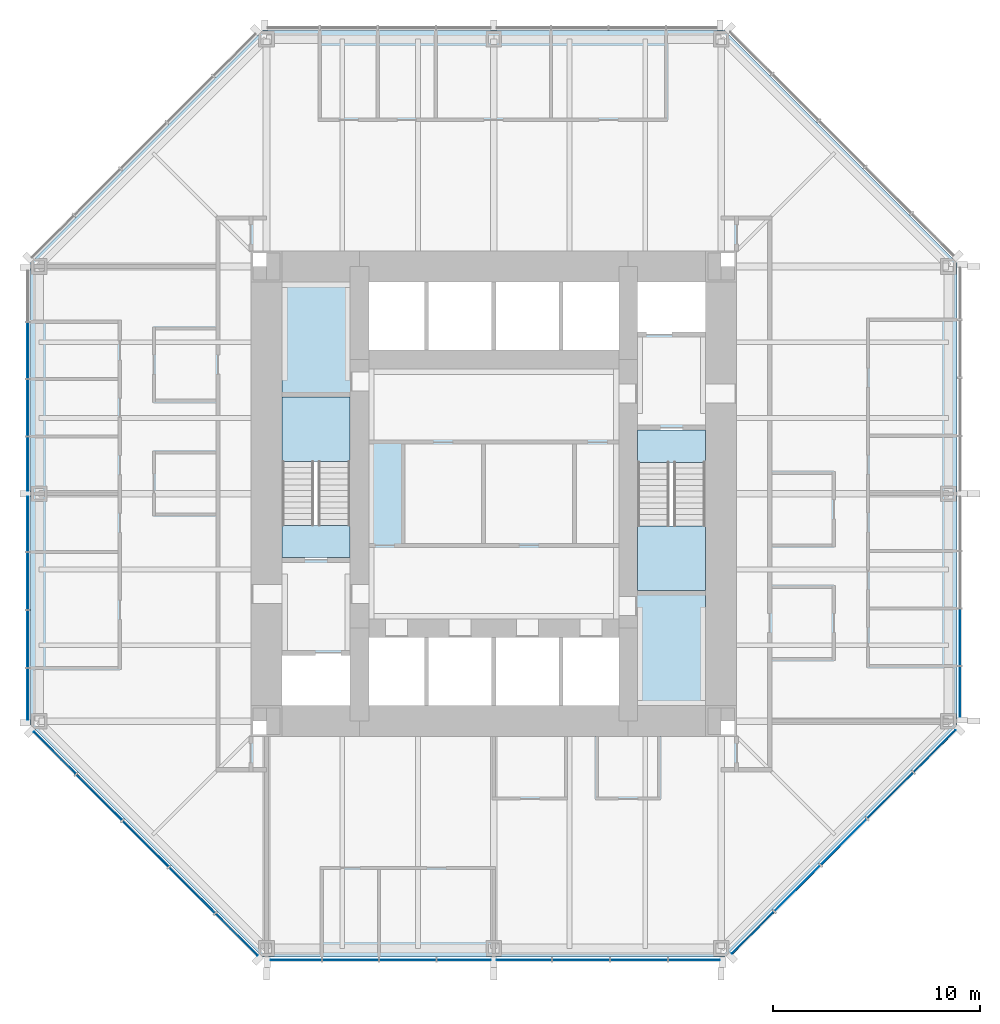
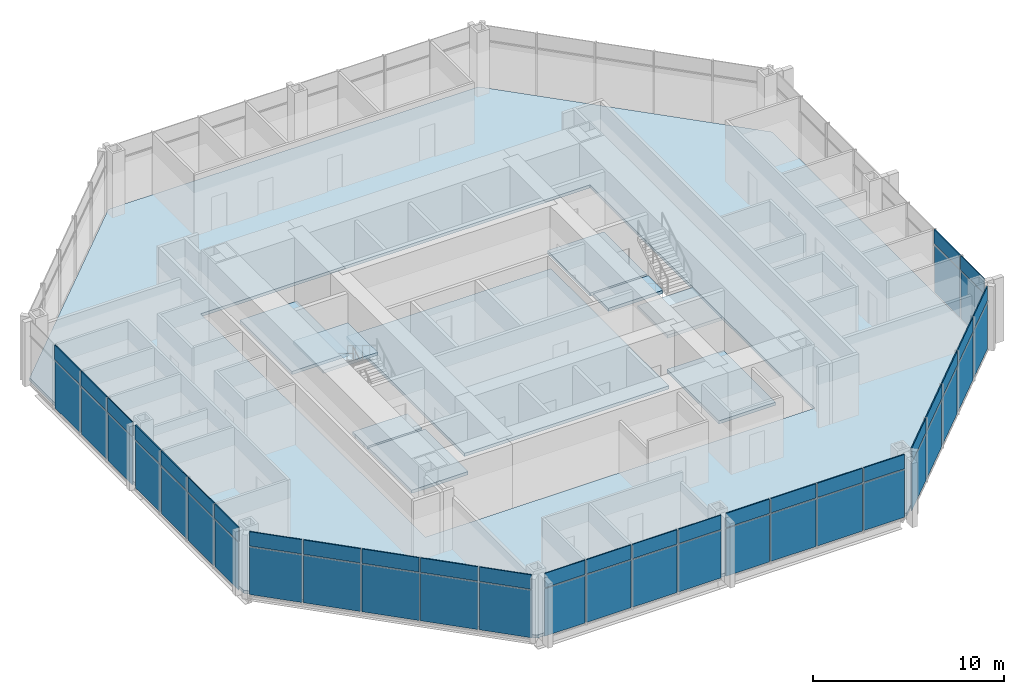
# One storey, part 7 of 12: 54 plates, 10 slabs, 7 elements without a shape of their own.
"""IFC4 building model written with IfcOpenShell, lengths in metres."""

from ifc_helpers import new_model, si_unit, direction, frame, origin, origin_2d, place, context, subcontext, project, spatial, polyline, rectangle, outline, extrude, material, layer, layer_set, type_object, element, aggregate, save


model = new_model("IFC4")

# Units and contexts
model_context = context("Model", 3, precision=1e-05, world=origin(), true_north=direction((0.0, 1.0)))
body_context = subcontext(model_context, "Body", "Model", "MODEL_VIEW")
ifc_project = project(units=[si_unit("LENGTHUNIT", "METRE"), si_unit("AREAUNIT", "SQUARE_METRE"), si_unit("VOLUMEUNIT", "CUBIC_METRE"), si_unit("PLANEANGLEUNIT", "RADIAN"), si_unit("MASSUNIT", "GRAM", prefix="KILO")], contexts=[model_context])

# Site, building, storey
site_placement = place(None, origin())
site = spatial("IfcSite", under=ifc_project, at=site_placement, CompositionType="ELEMENT")
building_placement = place(site_placement, origin())
building = spatial("IfcBuilding", under=site, at=building_placement, Name="Trevanion Tower", CompositionType="ELEMENT")
storey_placement = place(building_placement, frame((0.0, 0.0, 113.10009765625)))
storey = spatial("IfcBuildingStorey", under=building, at=storey_placement, Name="L26", CompositionType="ELEMENT", Elevation=113.10009765625)

# Curtain wall, plates
ifc_material_1 = material(Name="Aluminium and glass", Category="aluminium")
curtain_wall_type = type_object("IfcCurtainWallType", Name="CW2 curtain wall", PredefinedType="USERDEFINED", material=ifc_material_1)
curtain_wall_1_placement = place(storey_placement, origin())
curtain_wall_1 = element("IfcCurtainWall", 1, at=curtain_wall_1_placement, inside=storey, type_object=curtain_wall_type, Name="CW2 L26 0", ObjectType="UNITISED CURTAIN WALL", PredefinedType="USERDEFINED")
ifc_material_2 = material(Name="Aluminium spandrel panel", Category="aluminium")
ifc_layer_1 = layer(ifc_material_2, 0.06005859375)
ifc_layer_set_1 = layer_set([ifc_layer_1], Name="CW2 spandrel panel")
plate_type_1 = type_object("IfcPlateType", Name="CW2 spandrel panel", PredefinedType="CURTAIN_PANEL", material=ifc_layer_set_1)
plate_1_placement = place(storey_placement, frame((22.550048828125, -9.579345703125, 2.997314453125), z_axis=(0.0, 0.0, 1.0), x_axis=(0.0, 1.0, 0.0)))
plate_1 = element("IfcPlate", 2, at=plate_1_placement, type_object=plate_type_1, Name="CW2 panel 1.2", PredefinedType="CURTAIN_PANEL", context=body_context, shape_type="SweptSolid", body=[
    extrude(rectangle(XDim=2.43701171875, YDim=0.06005859375, at=origin_2d()), origin(), (0.0, 0.0, 1.0), 0.91259765625),
])
plate_2_placement = place(storey_placement, frame((22.550048828125, -6.93603515625, 2.997314453125), z_axis=(0.0, 0.0, 1.0), x_axis=(0.0, 1.0, 0.0)))
plate_2 = element("IfcPlate", 3, at=plate_2_placement, type_object=plate_type_1, Name="CW2 panel 2.2", PredefinedType="CURTAIN_PANEL", context=body_context, shape_type="SweptSolid", body=[
    extrude(rectangle(XDim=2.699462890625, YDim=0.06005859375, at=origin_2d()), origin(), (0.0, 0.0, 1.0), 0.91259765625),
])

curtain_wall_2_placement = place(storey_placement, origin())
curtain_wall_2 = element("IfcCurtainWall", 4, at=curtain_wall_2_placement, inside=storey, type_object=curtain_wall_type, Name="CW2 L26 4", ObjectType="UNITISED CURTAIN WALL", PredefinedType="USERDEFINED")
plate_3_placement = place(storey_placement, frame((-22.550048828125, 6.93603515625, 2.997314453125), z_axis=(0.0, 0.0, 1.0), x_axis=(0.0, -1.0, 0.0)))
plate_3 = element("IfcPlate", 5, at=plate_3_placement, type_object=plate_type_1, Name="CW2 panel 2.2", PredefinedType="CURTAIN_PANEL", context=body_context, shape_type="SweptSolid", body=[
    extrude(rectangle(XDim=2.699462890625, YDim=0.06005859375, at=origin_2d()), origin(), (0.0, 0.0, 1.0), 0.91259765625),
])
plate_4_placement = place(storey_placement, frame((-22.550048828125, 4.16162109375, 2.997314453125), z_axis=(0.0, 0.0, 1.0), x_axis=(0.0, -1.0, 0.0)))
plate_4 = element("IfcPlate", 6, at=plate_4_placement, type_object=plate_type_1, Name="CW2 panel 3.2", PredefinedType="CURTAIN_PANEL", context=body_context, shape_type="SweptSolid", body=[
    extrude(rectangle(XDim=2.699462890625, YDim=0.06005859375, at=origin_2d()), origin(), (0.0, 0.0, 1.0), 0.91259765625),
])
plate_5_placement = place(storey_placement, frame((-22.550048828125, 1.443603515625, 2.997314453125), z_axis=(0.0, 0.0, 1.0), x_axis=(0.0, -1.0, 0.0)))
plate_5 = element("IfcPlate", 7, at=plate_5_placement, type_object=plate_type_1, Name="CW2 panel 4.2", PredefinedType="CURTAIN_PANEL", context=body_context, shape_type="SweptSolid", body=[
    extrude(rectangle(XDim=2.5869140625, YDim=0.06005859375, at=origin_2d()), origin(), (0.0, 0.0, 1.0), 0.91259765625),
])
plate_6_placement = place(storey_placement, frame((-22.550048828125, -1.459716796875, 2.997314453125), z_axis=(0.0, 0.0, 1.0), x_axis=(0.0, -1.0, 0.0)))
plate_6 = element("IfcPlate", 8, at=plate_6_placement, type_object=plate_type_1, Name="CW2 panel 5.2", PredefinedType="CURTAIN_PANEL", context=body_context, shape_type="SweptSolid", body=[
    extrude(rectangle(XDim=2.619384765625, YDim=0.06005859375, at=origin_2d()), origin(), (0.0, 0.0, 1.0), 0.91259765625),
])
plate_7_placement = place(storey_placement, frame((-22.550048828125, -4.21044921875, 2.997314453125), z_axis=(0.0, 0.0, 1.0), x_axis=(0.0, -1.0, 0.0)))
plate_7 = element("IfcPlate", 9, at=plate_7_placement, type_object=plate_type_1, Name="CW2 panel 6.2", PredefinedType="CURTAIN_PANEL", context=body_context, shape_type="SweptSolid", body=[
    extrude(rectangle(XDim=2.73193359375, YDim=0.06005859375, at=origin_2d()), origin(), (0.0, 0.0, 1.0), 0.91259765625),
])
plate_8_placement = place(storey_placement, frame((-22.550048828125, -7.017333984375, 2.997314453125), z_axis=(0.0, 0.0, 1.0), x_axis=(0.0, -1.0, 0.0)))
plate_8 = element("IfcPlate", 10, at=plate_8_placement, type_object=plate_type_1, Name="CW2 panel 7.2", PredefinedType="CURTAIN_PANEL", context=body_context, shape_type="SweptSolid", body=[
    extrude(rectangle(XDim=2.73193359375, YDim=0.06005859375, at=origin_2d()), origin(), (0.0, 0.0, 1.0), 0.91259765625),
])
plate_9_placement = place(storey_placement, frame((-22.550048828125, -9.693115234375, 2.997314453125), z_axis=(0.0, 0.0, 1.0), x_axis=(0.0, -1.0, 0.0)))
plate_9 = element("IfcPlate", 11, at=plate_9_placement, type_object=plate_type_1, Name="CW2 panel 8.2", PredefinedType="CURTAIN_PANEL", context=body_context, shape_type="SweptSolid", body=[
    extrude(rectangle(XDim=2.469482421875, YDim=0.06005859375, at=origin_2d()), origin(), (0.0, 0.0, 1.0), 0.91259765625),
])

curtain_wall_3_placement = place(storey_placement, origin())
curtain_wall_3 = element("IfcCurtainWall", 12, at=curtain_wall_3_placement, inside=storey, type_object=curtain_wall_type, Name="CW2 L26 5", ObjectType="UNITISED CURTAIN WALL", PredefinedType="USERDEFINED")
plate_10_placement = place(storey_placement, frame((-21.2421875, -12.53564453125, 2.997314453125), z_axis=(0.0, 0.0, 1.0), x_axis=(0.707106781187, -0.707106781187, 0.0)))
plate_10 = element("IfcPlate", 13, at=plate_10_placement, type_object=plate_type_1, Name="CW2 panel 1.2", PredefinedType="CURTAIN_PANEL", context=body_context, shape_type="SweptSolid", body=[
    extrude(rectangle(XDim=2.8388671875, YDim=0.06005859375, at=origin_2d()), origin(), (0.0, 0.0, 1.0), 0.91259765625),
])
plate_11_placement = place(storey_placement, frame((-19.089111328125, -14.688720703125, 2.997314453125), z_axis=(0.0, 0.0, 1.0), x_axis=(0.707106781187, -0.707106781187, 0.0)))
plate_11 = element("IfcPlate", 14, at=plate_11_placement, type_object=plate_type_1, Name="CW2 panel 2.2", PredefinedType="CURTAIN_PANEL", context=body_context, shape_type="SweptSolid", body=[
    extrude(rectangle(XDim=3.101318359375, YDim=0.06005859375, at=origin_2d()), origin(), (0.0, 0.0, 1.0), 0.91259765625),
])
plate_12_placement = place(storey_placement, frame((-16.843017578125, -16.934814453125, 2.997314453125), z_axis=(0.0, 0.0, 1.0), x_axis=(0.707106781187, -0.707106781187, 0.0)))
plate_12 = element("IfcPlate", 15, at=plate_12_placement, type_object=plate_type_1, Name="CW2 panel 3.2", PredefinedType="CURTAIN_PANEL", context=body_context, shape_type="SweptSolid", body=[
    extrude(rectangle(XDim=3.101318359375, YDim=0.06005859375, at=origin_2d()), origin(), (0.0, 0.0, 1.0), 0.91259765625),
])
plate_13_placement = place(storey_placement, frame((-14.596923828125, -19.180908203125, 2.997314453125), z_axis=(0.0, 0.0, 1.0), x_axis=(0.707106781187, -0.707106781187, 0.0)))
plate_13 = element("IfcPlate", 16, at=plate_13_placement, type_object=plate_type_1, Name="CW2 panel 4.2", PredefinedType="CURTAIN_PANEL", context=body_context, shape_type="SweptSolid", body=[
    extrude(rectangle(XDim=3.101318359375, YDim=0.06005859375, at=origin_2d()), origin(), (0.0, 0.0, 1.0), 0.91259765625),
])
plate_14_placement = place(storey_placement, frame((-12.443603515625, -21.334228515625, 2.997314453125), z_axis=(0.0, 0.0, 1.0), x_axis=(0.707106781187, -0.707106781187, 0.0)))
plate_14 = element("IfcPlate", 17, at=plate_14_placement, type_object=plate_type_1, Name="CW2 panel 5.2", PredefinedType="CURTAIN_PANEL", context=body_context, shape_type="SweptSolid", body=[
    extrude(rectangle(XDim=2.8388671875, YDim=0.06005859375, at=origin_2d()), origin(), (0.0, 0.0, 1.0), 0.91259765625),
])

curtain_wall_4_placement = place(storey_placement, origin())
curtain_wall_4 = element("IfcCurtainWall", 18, at=curtain_wall_4_placement, inside=storey, type_object=curtain_wall_type, Name="CW2 L26 6", ObjectType="UNITISED CURTAIN WALL", PredefinedType="USERDEFINED")
plate_15_placement = place(storey_placement, frame((-9.579345703125, -22.550048828125, 2.997314453125), z_axis=(0.0, 0.0, 1.0), x_axis=(1.0, 0.0, 0.0)))
plate_15 = element("IfcPlate", 19, at=plate_15_placement, type_object=plate_type_1, Name="CW2 panel 1.2", PredefinedType="CURTAIN_PANEL", context=body_context, shape_type="SweptSolid", body=[
    extrude(rectangle(XDim=2.43701171875, YDim=0.06005859375, at=origin_2d()), origin(), (0.0, 0.0, 1.0), 0.91259765625),
])
plate_16_placement = place(storey_placement, frame((-6.93603515625, -22.550048828125, 2.997314453125), z_axis=(0.0, 0.0, 1.0), x_axis=(1.0, 0.0, 0.0)))
plate_16 = element("IfcPlate", 20, at=plate_16_placement, type_object=plate_type_1, Name="CW2 panel 2.2", PredefinedType="CURTAIN_PANEL", context=body_context, shape_type="SweptSolid", body=[
    extrude(rectangle(XDim=2.699462890625, YDim=0.06005859375, at=origin_2d()), origin(), (0.0, 0.0, 1.0), 0.91259765625),
])
plate_17_placement = place(storey_placement, frame((-4.16162109375, -22.550048828125, 2.997314453125), z_axis=(0.0, 0.0, 1.0), x_axis=(1.0, 0.0, 0.0)))
plate_17 = element("IfcPlate", 21, at=plate_17_placement, type_object=plate_type_1, Name="CW2 panel 3.2", PredefinedType="CURTAIN_PANEL", context=body_context, shape_type="SweptSolid", body=[
    extrude(rectangle(XDim=2.699462890625, YDim=0.06005859375, at=origin_2d()), origin(), (0.0, 0.0, 1.0), 0.91259765625),
])
plate_18_placement = place(storey_placement, frame((-1.443603515625, -22.550048828125, 2.997314453125), z_axis=(0.0, 0.0, 1.0), x_axis=(1.0, 0.0, 0.0)))
plate_18 = element("IfcPlate", 22, at=plate_18_placement, type_object=plate_type_1, Name="CW2 panel 4.2", PredefinedType="CURTAIN_PANEL", context=body_context, shape_type="SweptSolid", body=[
    extrude(rectangle(XDim=2.5869140625, YDim=0.06005859375, at=origin_2d()), origin(), (0.0, 0.0, 1.0), 0.91259765625),
])
plate_19_placement = place(storey_placement, frame((1.459716796875, -22.550048828125, 2.997314453125), z_axis=(0.0, 0.0, 1.0), x_axis=(1.0, 0.0, 0.0)))
plate_19 = element("IfcPlate", 23, at=plate_19_placement, type_object=plate_type_1, Name="CW2 panel 5.2", PredefinedType="CURTAIN_PANEL", context=body_context, shape_type="SweptSolid", body=[
    extrude(rectangle(XDim=2.619384765625, YDim=0.06005859375, at=origin_2d()), origin(), (0.0, 0.0, 1.0), 0.91259765625),
])
plate_20_placement = place(storey_placement, frame((4.21044921875, -22.550048828125, 2.997314453125), z_axis=(0.0, 0.0, 1.0), x_axis=(1.0, 0.0, 0.0)))
plate_20 = element("IfcPlate", 24, at=plate_20_placement, type_object=plate_type_1, Name="CW2 panel 6.2", PredefinedType="CURTAIN_PANEL", context=body_context, shape_type="SweptSolid", body=[
    extrude(rectangle(XDim=2.73193359375, YDim=0.06005859375, at=origin_2d()), origin(), (0.0, 0.0, 1.0), 0.91259765625),
])
plate_21_placement = place(storey_placement, frame((7.017333984375, -22.550048828125, 2.997314453125), z_axis=(0.0, 0.0, 1.0), x_axis=(1.0, 0.0, 0.0)))
plate_21 = element("IfcPlate", 25, at=plate_21_placement, type_object=plate_type_1, Name="CW2 panel 7.2", PredefinedType="CURTAIN_PANEL", context=body_context, shape_type="SweptSolid", body=[
    extrude(rectangle(XDim=2.73193359375, YDim=0.06005859375, at=origin_2d()), origin(), (0.0, 0.0, 1.0), 0.91259765625),
])
plate_22_placement = place(storey_placement, frame((9.693115234375, -22.550048828125, 2.997314453125), z_axis=(0.0, 0.0, 1.0), x_axis=(1.0, 0.0, 0.0)))
plate_22 = element("IfcPlate", 26, at=plate_22_placement, type_object=plate_type_1, Name="CW2 panel 8.2", PredefinedType="CURTAIN_PANEL", context=body_context, shape_type="SweptSolid", body=[
    extrude(rectangle(XDim=2.469482421875, YDim=0.06005859375, at=origin_2d()), origin(), (0.0, 0.0, 1.0), 0.91259765625),
])

curtain_wall_5_placement = place(storey_placement, origin())
curtain_wall_5 = element("IfcCurtainWall", 27, at=curtain_wall_5_placement, inside=storey, type_object=curtain_wall_type, Name="CW2 L26 7", ObjectType="UNITISED CURTAIN WALL", PredefinedType="USERDEFINED")
plate_23_placement = place(storey_placement, frame((12.53564453125, -21.2421875, 2.997314453125), z_axis=(0.0, 0.0, 1.0), x_axis=(0.707106781187, 0.707106781187, 0.0)))
plate_23 = element("IfcPlate", 28, at=plate_23_placement, type_object=plate_type_1, Name="CW2 panel 1.2", PredefinedType="CURTAIN_PANEL", context=body_context, shape_type="SweptSolid", body=[
    extrude(rectangle(XDim=2.8388671875, YDim=0.06005859375, at=origin_2d()), origin(), (0.0, 0.0, 1.0), 0.91259765625),
])
plate_24_placement = place(storey_placement, frame((14.688720703125, -19.089111328125, 2.997314453125), z_axis=(0.0, 0.0, 1.0), x_axis=(0.707106781187, 0.707106781187, 0.0)))
plate_24 = element("IfcPlate", 29, at=plate_24_placement, type_object=plate_type_1, Name="CW2 panel 2.2", PredefinedType="CURTAIN_PANEL", context=body_context, shape_type="SweptSolid", body=[
    extrude(rectangle(XDim=3.101318359375, YDim=0.06005859375, at=origin_2d()), origin(), (0.0, 0.0, 1.0), 0.91259765625),
])
plate_25_placement = place(storey_placement, frame((16.934814453125, -16.843017578125, 2.997314453125), z_axis=(0.0, 0.0, 1.0), x_axis=(0.707106781187, 0.707106781187, 0.0)))
plate_25 = element("IfcPlate", 30, at=plate_25_placement, type_object=plate_type_1, Name="CW2 panel 3.2", PredefinedType="CURTAIN_PANEL", context=body_context, shape_type="SweptSolid", body=[
    extrude(rectangle(XDim=3.101318359375, YDim=0.06005859375, at=origin_2d()), origin(), (0.0, 0.0, 1.0), 0.91259765625),
])
plate_26_placement = place(storey_placement, frame((19.180908203125, -14.596923828125, 2.997314453125), z_axis=(0.0, 0.0, 1.0), x_axis=(0.707106781187, 0.707106781187, 0.0)))
plate_26 = element("IfcPlate", 31, at=plate_26_placement, type_object=plate_type_1, Name="CW2 panel 4.2", PredefinedType="CURTAIN_PANEL", context=body_context, shape_type="SweptSolid", body=[
    extrude(rectangle(XDim=3.101318359375, YDim=0.06005859375, at=origin_2d()), origin(), (0.0, 0.0, 1.0), 0.91259765625),
])
plate_27_placement = place(storey_placement, frame((21.334228515625, -12.443603515625, 2.997314453125), z_axis=(0.0, 0.0, 1.0), x_axis=(0.707106781187, 0.707106781187, 0.0)))
plate_27 = element("IfcPlate", 32, at=plate_27_placement, type_object=plate_type_1, Name="CW2 panel 5.2", PredefinedType="CURTAIN_PANEL", context=body_context, shape_type="SweptSolid", body=[
    extrude(rectangle(XDim=2.8388671875, YDim=0.06005859375, at=origin_2d()), origin(), (0.0, 0.0, 1.0), 0.91259765625),
])

# Plate
ifc_material_3 = material(Name="Insulating glass unit", Category="glass")
ifc_layer_2 = layer(ifc_material_3, 0.028076171875)
ifc_layer_set_2 = layer_set([ifc_layer_2], Name="CW2 vision panel")
plate_type_2 = type_object("IfcPlateType", Name="CW2 vision panel", PredefinedType="CURTAIN_PANEL", material=ifc_layer_set_2)
plate_28_placement = place(storey_placement, frame((22.550048828125, -9.579345703125, -0.115234375), z_axis=(0.0, 0.0, 1.0), x_axis=(0.0, 1.0, 0.0)))
plate_28 = element("IfcPlate", 33, at=plate_28_placement, type_object=plate_type_2, Name="CW2 panel 1.1", PredefinedType="CURTAIN_PANEL", context=body_context, shape_type="SweptSolid", body=[
    extrude(rectangle(XDim=2.43701171875, YDim=0.028076171875, at=origin_2d()), origin(), (0.0, 0.0, 1.0), 3.03759765625),
])

plate_29_placement = place(storey_placement, frame((22.550048828125, -6.93603515625, -0.115234375), z_axis=(0.0, 0.0, 1.0), x_axis=(0.0, 1.0, 0.0)))
plate_29 = element("IfcPlate", 34, at=plate_29_placement, type_object=plate_type_2, Name="CW2 panel 2.1", PredefinedType="CURTAIN_PANEL", context=body_context, shape_type="SweptSolid", body=[
    extrude(rectangle(XDim=2.699462890625, YDim=0.028076171875, at=origin_2d()), origin(), (0.0, 0.0, 1.0), 3.03759765625),
])

aggregate(curtain_wall_1, [plate_28, plate_1, plate_29, plate_2])

plate_30_placement = place(storey_placement, frame((-22.550048828125, 6.93603515625, -0.115234375), z_axis=(0.0, 0.0, 1.0), x_axis=(0.0, -1.0, 0.0)))
plate_30 = element("IfcPlate", 35, at=plate_30_placement, type_object=plate_type_2, Name="CW2 panel 2.1", PredefinedType="CURTAIN_PANEL", context=body_context, shape_type="SweptSolid", body=[
    extrude(rectangle(XDim=2.699462890625, YDim=0.028076171875, at=origin_2d()), origin(), (0.0, 0.0, 1.0), 3.03759765625),
])

plate_31_placement = place(storey_placement, frame((-22.550048828125, 4.16162109375, -0.115234375), z_axis=(0.0, 0.0, 1.0), x_axis=(0.0, -1.0, 0.0)))
plate_31 = element("IfcPlate", 36, at=plate_31_placement, type_object=plate_type_2, Name="CW2 panel 3.1", PredefinedType="CURTAIN_PANEL", context=body_context, shape_type="SweptSolid", body=[
    extrude(rectangle(XDim=2.699462890625, YDim=0.028076171875, at=origin_2d()), origin(), (0.0, 0.0, 1.0), 3.03759765625),
])

plate_32_placement = place(storey_placement, frame((-22.550048828125, 1.443603515625, -0.115234375), z_axis=(0.0, 0.0, 1.0), x_axis=(0.0, -1.0, 0.0)))
plate_32 = element("IfcPlate", 37, at=plate_32_placement, type_object=plate_type_2, Name="CW2 panel 4.1", PredefinedType="CURTAIN_PANEL", context=body_context, shape_type="SweptSolid", body=[
    extrude(rectangle(XDim=2.5869140625, YDim=0.028076171875, at=origin_2d()), origin(), (0.0, 0.0, 1.0), 3.03759765625),
])

plate_33_placement = place(storey_placement, frame((-22.550048828125, -1.459716796875, -0.115234375), z_axis=(0.0, 0.0, 1.0), x_axis=(0.0, -1.0, 0.0)))
plate_33 = element("IfcPlate", 38, at=plate_33_placement, type_object=plate_type_2, Name="CW2 panel 5.1", PredefinedType="CURTAIN_PANEL", context=body_context, shape_type="SweptSolid", body=[
    extrude(rectangle(XDim=2.619384765625, YDim=0.028076171875, at=origin_2d()), origin(), (0.0, 0.0, 1.0), 3.03759765625),
])

plate_34_placement = place(storey_placement, frame((-22.550048828125, -4.21044921875, -0.115234375), z_axis=(0.0, 0.0, 1.0), x_axis=(0.0, -1.0, 0.0)))
plate_34 = element("IfcPlate", 39, at=plate_34_placement, type_object=plate_type_2, Name="CW2 panel 6.1", PredefinedType="CURTAIN_PANEL", context=body_context, shape_type="SweptSolid", body=[
    extrude(rectangle(XDim=2.73193359375, YDim=0.028076171875, at=origin_2d()), origin(), (0.0, 0.0, 1.0), 3.03759765625),
])

plate_35_placement = place(storey_placement, frame((-22.550048828125, -7.017333984375, -0.115234375), z_axis=(0.0, 0.0, 1.0), x_axis=(0.0, -1.0, 0.0)))
plate_35 = element("IfcPlate", 40, at=plate_35_placement, type_object=plate_type_2, Name="CW2 panel 7.1", PredefinedType="CURTAIN_PANEL", context=body_context, shape_type="SweptSolid", body=[
    extrude(rectangle(XDim=2.73193359375, YDim=0.028076171875, at=origin_2d()), origin(), (0.0, 0.0, 1.0), 3.03759765625),
])

plate_36_placement = place(storey_placement, frame((-22.550048828125, -9.693115234375, -0.115234375), z_axis=(0.0, 0.0, 1.0), x_axis=(0.0, -1.0, 0.0)))
plate_36 = element("IfcPlate", 41, at=plate_36_placement, type_object=plate_type_2, Name="CW2 panel 8.1", PredefinedType="CURTAIN_PANEL", context=body_context, shape_type="SweptSolid", body=[
    extrude(rectangle(XDim=2.469482421875, YDim=0.028076171875, at=origin_2d()), origin(), (0.0, 0.0, 1.0), 3.03759765625),
])

aggregate(curtain_wall_2, [plate_30, plate_3, plate_31, plate_4, plate_32, plate_5, plate_33, plate_6, plate_34, plate_7, plate_35, plate_8, plate_36, plate_9])

plate_37_placement = place(storey_placement, frame((-21.2421875, -12.53564453125, -0.115234375), z_axis=(0.0, 0.0, 1.0), x_axis=(0.707106781187, -0.707106781187, 0.0)))
plate_37 = element("IfcPlate", 42, at=plate_37_placement, type_object=plate_type_2, Name="CW2 panel 1.1", PredefinedType="CURTAIN_PANEL", context=body_context, shape_type="SweptSolid", body=[
    extrude(rectangle(XDim=2.8388671875, YDim=0.028076171875, at=origin_2d()), origin(), (0.0, 0.0, 1.0), 3.03759765625),
])

plate_38_placement = place(storey_placement, frame((-19.089111328125, -14.688720703125, -0.115234375), z_axis=(0.0, 0.0, 1.0), x_axis=(0.707106781187, -0.707106781187, 0.0)))
plate_38 = element("IfcPlate", 43, at=plate_38_placement, type_object=plate_type_2, Name="CW2 panel 2.1", PredefinedType="CURTAIN_PANEL", context=body_context, shape_type="SweptSolid", body=[
    extrude(rectangle(XDim=3.101318359375, YDim=0.028076171875, at=origin_2d()), origin(), (0.0, 0.0, 1.0), 3.03759765625),
])

plate_39_placement = place(storey_placement, frame((-16.843017578125, -16.934814453125, -0.115234375), z_axis=(0.0, 0.0, 1.0), x_axis=(0.707106781187, -0.707106781187, 0.0)))
plate_39 = element("IfcPlate", 44, at=plate_39_placement, type_object=plate_type_2, Name="CW2 panel 3.1", PredefinedType="CURTAIN_PANEL", context=body_context, shape_type="SweptSolid", body=[
    extrude(rectangle(XDim=3.101318359375, YDim=0.028076171875, at=origin_2d()), origin(), (0.0, 0.0, 1.0), 3.03759765625),
])

plate_40_placement = place(storey_placement, frame((-14.596923828125, -19.180908203125, -0.115234375), z_axis=(0.0, 0.0, 1.0), x_axis=(0.707106781187, -0.707106781187, 0.0)))
plate_40 = element("IfcPlate", 45, at=plate_40_placement, type_object=plate_type_2, Name="CW2 panel 4.1", PredefinedType="CURTAIN_PANEL", context=body_context, shape_type="SweptSolid", body=[
    extrude(rectangle(XDim=3.101318359375, YDim=0.028076171875, at=origin_2d()), origin(), (0.0, 0.0, 1.0), 3.03759765625),
])

plate_41_placement = place(storey_placement, frame((-12.443603515625, -21.334228515625, -0.115234375), z_axis=(0.0, 0.0, 1.0), x_axis=(0.707106781187, -0.707106781187, 0.0)))
plate_41 = element("IfcPlate", 46, at=plate_41_placement, type_object=plate_type_2, Name="CW2 panel 5.1", PredefinedType="CURTAIN_PANEL", context=body_context, shape_type="SweptSolid", body=[
    extrude(rectangle(XDim=2.8388671875, YDim=0.028076171875, at=origin_2d()), origin(), (0.0, 0.0, 1.0), 3.03759765625),
])

aggregate(curtain_wall_3, [plate_37, plate_10, plate_38, plate_11, plate_39, plate_12, plate_40, plate_13, plate_41, plate_14])

plate_42_placement = place(storey_placement, frame((-9.579345703125, -22.550048828125, -0.115234375), z_axis=(0.0, 0.0, 1.0), x_axis=(1.0, 0.0, 0.0)))
plate_42 = element("IfcPlate", 47, at=plate_42_placement, type_object=plate_type_2, Name="CW2 panel 1.1", PredefinedType="CURTAIN_PANEL", context=body_context, shape_type="SweptSolid", body=[
    extrude(rectangle(XDim=2.43701171875, YDim=0.028076171875, at=origin_2d()), origin(), (0.0, 0.0, 1.0), 3.03759765625),
])

plate_43_placement = place(storey_placement, frame((-6.93603515625, -22.550048828125, -0.115234375), z_axis=(0.0, 0.0, 1.0), x_axis=(1.0, 0.0, 0.0)))
plate_43 = element("IfcPlate", 48, at=plate_43_placement, type_object=plate_type_2, Name="CW2 panel 2.1", PredefinedType="CURTAIN_PANEL", context=body_context, shape_type="SweptSolid", body=[
    extrude(rectangle(XDim=2.699462890625, YDim=0.028076171875, at=origin_2d()), origin(), (0.0, 0.0, 1.0), 3.03759765625),
])

plate_44_placement = place(storey_placement, frame((-4.16162109375, -22.550048828125, -0.115234375), z_axis=(0.0, 0.0, 1.0), x_axis=(1.0, 0.0, 0.0)))
plate_44 = element("IfcPlate", 49, at=plate_44_placement, type_object=plate_type_2, Name="CW2 panel 3.1", PredefinedType="CURTAIN_PANEL", context=body_context, shape_type="SweptSolid", body=[
    extrude(rectangle(XDim=2.699462890625, YDim=0.028076171875, at=origin_2d()), origin(), (0.0, 0.0, 1.0), 3.03759765625),
])

plate_45_placement = place(storey_placement, frame((-1.443603515625, -22.550048828125, -0.115234375), z_axis=(0.0, 0.0, 1.0), x_axis=(1.0, 0.0, 0.0)))
plate_45 = element("IfcPlate", 50, at=plate_45_placement, type_object=plate_type_2, Name="CW2 panel 4.1", PredefinedType="CURTAIN_PANEL", context=body_context, shape_type="SweptSolid", body=[
    extrude(rectangle(XDim=2.5869140625, YDim=0.028076171875, at=origin_2d()), origin(), (0.0, 0.0, 1.0), 3.03759765625),
])

plate_46_placement = place(storey_placement, frame((1.459716796875, -22.550048828125, -0.115234375), z_axis=(0.0, 0.0, 1.0), x_axis=(1.0, 0.0, 0.0)))
plate_46 = element("IfcPlate", 51, at=plate_46_placement, type_object=plate_type_2, Name="CW2 panel 5.1", PredefinedType="CURTAIN_PANEL", context=body_context, shape_type="SweptSolid", body=[
    extrude(rectangle(XDim=2.619384765625, YDim=0.028076171875, at=origin_2d()), origin(), (0.0, 0.0, 1.0), 3.03759765625),
])

plate_47_placement = place(storey_placement, frame((4.21044921875, -22.550048828125, -0.115234375), z_axis=(0.0, 0.0, 1.0), x_axis=(1.0, 0.0, 0.0)))
plate_47 = element("IfcPlate", 52, at=plate_47_placement, type_object=plate_type_2, Name="CW2 panel 6.1", PredefinedType="CURTAIN_PANEL", context=body_context, shape_type="SweptSolid", body=[
    extrude(rectangle(XDim=2.73193359375, YDim=0.028076171875, at=origin_2d()), origin(), (0.0, 0.0, 1.0), 3.03759765625),
])

plate_48_placement = place(storey_placement, frame((7.017333984375, -22.550048828125, -0.115234375), z_axis=(0.0, 0.0, 1.0), x_axis=(1.0, 0.0, 0.0)))
plate_48 = element("IfcPlate", 53, at=plate_48_placement, type_object=plate_type_2, Name="CW2 panel 7.1", PredefinedType="CURTAIN_PANEL", context=body_context, shape_type="SweptSolid", body=[
    extrude(rectangle(XDim=2.73193359375, YDim=0.028076171875, at=origin_2d()), origin(), (0.0, 0.0, 1.0), 3.03759765625),
])

plate_49_placement = place(storey_placement, frame((9.693115234375, -22.550048828125, -0.115234375), z_axis=(0.0, 0.0, 1.0), x_axis=(1.0, 0.0, 0.0)))
plate_49 = element("IfcPlate", 54, at=plate_49_placement, type_object=plate_type_2, Name="CW2 panel 8.1", PredefinedType="CURTAIN_PANEL", context=body_context, shape_type="SweptSolid", body=[
    extrude(rectangle(XDim=2.469482421875, YDim=0.028076171875, at=origin_2d()), origin(), (0.0, 0.0, 1.0), 3.03759765625),
])

aggregate(curtain_wall_4, [plate_42, plate_15, plate_43, plate_16, plate_44, plate_17, plate_45, plate_18, plate_46, plate_19, plate_47, plate_20, plate_48, plate_21, plate_49, plate_22])

plate_50_placement = place(storey_placement, frame((12.53564453125, -21.2421875, -0.115234375), z_axis=(0.0, 0.0, 1.0), x_axis=(0.707106781187, 0.707106781187, 0.0)))
plate_50 = element("IfcPlate", 55, at=plate_50_placement, type_object=plate_type_2, Name="CW2 panel 1.1", PredefinedType="CURTAIN_PANEL", context=body_context, shape_type="SweptSolid", body=[
    extrude(rectangle(XDim=2.8388671875, YDim=0.028076171875, at=origin_2d()), origin(), (0.0, 0.0, 1.0), 3.03759765625),
])

plate_51_placement = place(storey_placement, frame((14.688720703125, -19.089111328125, -0.115234375), z_axis=(0.0, 0.0, 1.0), x_axis=(0.707106781187, 0.707106781187, 0.0)))
plate_51 = element("IfcPlate", 56, at=plate_51_placement, type_object=plate_type_2, Name="CW2 panel 2.1", PredefinedType="CURTAIN_PANEL", context=body_context, shape_type="SweptSolid", body=[
    extrude(rectangle(XDim=3.101318359375, YDim=0.028076171875, at=origin_2d()), origin(), (0.0, 0.0, 1.0), 3.03759765625),
])

plate_52_placement = place(storey_placement, frame((16.934814453125, -16.843017578125, -0.115234375), z_axis=(0.0, 0.0, 1.0), x_axis=(0.707106781187, 0.707106781187, 0.0)))
plate_52 = element("IfcPlate", 57, at=plate_52_placement, type_object=plate_type_2, Name="CW2 panel 3.1", PredefinedType="CURTAIN_PANEL", context=body_context, shape_type="SweptSolid", body=[
    extrude(rectangle(XDim=3.101318359375, YDim=0.028076171875, at=origin_2d()), origin(), (0.0, 0.0, 1.0), 3.03759765625),
])

plate_53_placement = place(storey_placement, frame((19.180908203125, -14.596923828125, -0.115234375), z_axis=(0.0, 0.0, 1.0), x_axis=(0.707106781187, 0.707106781187, 0.0)))
plate_53 = element("IfcPlate", 58, at=plate_53_placement, type_object=plate_type_2, Name="CW2 panel 4.1", PredefinedType="CURTAIN_PANEL", context=body_context, shape_type="SweptSolid", body=[
    extrude(rectangle(XDim=3.101318359375, YDim=0.028076171875, at=origin_2d()), origin(), (0.0, 0.0, 1.0), 3.03759765625),
])

plate_54_placement = place(storey_placement, frame((21.334228515625, -12.443603515625, -0.115234375), z_axis=(0.0, 0.0, 1.0), x_axis=(0.707106781187, 0.707106781187, 0.0)))
plate_54 = element("IfcPlate", 59, at=plate_54_placement, type_object=plate_type_2, Name="CW2 panel 5.1", PredefinedType="CURTAIN_PANEL", context=body_context, shape_type="SweptSolid", body=[
    extrude(rectangle(XDim=2.8388671875, YDim=0.028076171875, at=origin_2d()), origin(), (0.0, 0.0, 1.0), 3.03759765625),
])

aggregate(curtain_wall_5, [plate_50, plate_23, plate_51, plate_24, plate_52, plate_25, plate_53, plate_26, plate_54, plate_27])

# Slabs
ifc_material_4 = material(Name="Concrete 5,000 psi on composite metal deck", Category="concrete")
ifc_layer_3 = layer(ifc_material_4, 0.18994140625)
ifc_layer_set_3 = layer_set([ifc_layer_3], Name="SL1 composite floor 190")
slab_type_1 = type_object("IfcSlabType", Name="SL1 composite floor 190", PredefinedType="FLOOR", material=ifc_layer_set_3)
slab_1_placement = place(storey_placement, frame((0.0, 0.0, -0.190185546875)))
element("IfcSlab", 60, at=slab_1_placement, inside=storey, type_object=slab_type_1, Name="SL1 L26 floor", PredefinedType="FLOOR", context=body_context, shape_type="SweptSolid", body=[
    extrude(outline(polyline([(22.419921875, -11.174072265625), (22.419921875, 11.174072265625), (11.174072265625, 22.419921875), (-11.174072265625, 22.419921875), (-22.419921875, 11.174072265625), (-22.419921875, -11.174072265625), (-11.174072265625, -22.419921875), (11.174072265625, -22.419921875), (22.419921875, -11.174072265625)]), holes=[polyline([(11.75, -11.75), (11.75, 11.75), (-11.75, 11.75), (-11.75, -11.75), (11.75, -11.75)])]), origin(), (0.0, 0.0, 1.0), 0.190185546875),
])
ifc_material_5 = material(Name="Concrete 5,000 psi", Category="concrete")
ifc_layer_4 = layer(ifc_material_5, 0.199951171875)
ifc_layer_set_4 = layer_set([ifc_layer_4], Name="SL2 core floor 200")
slab_type_2 = type_object("IfcSlabType", Name="SL2 core floor 200", PredefinedType="FLOOR", material=ifc_layer_set_4)
slab_2_placement = place(storey_placement, frame((0.0, 0.0, -0.2001953125)))
element("IfcSlab", 61, at=slab_2_placement, inside=storey, type_object=slab_type_2, Name="SL2 L26 core floor 1", PredefinedType="FLOOR", context=body_context, shape_type="SweptSolid", body=[
    extrude(outline(polyline([(10.25, -4.804931640625), (10.25, -10.25), (6.830078125, -10.25), (6.830078125, -4.804931640625), (10.25, -4.804931640625)])), origin(), (0.0, 0.0, 1.0), 0.2001953125),
])
slab_3_placement = place(storey_placement, frame((0.0, 0.0, -0.2001953125)))
element("IfcSlab", 62, at=slab_3_placement, inside=storey, type_object=slab_type_2, Name="SL2 L26 core floor 2", PredefinedType="FLOOR", context=body_context, shape_type="SweptSolid", body=[
    extrude(outline(polyline([(-6.830078125, -3.205078125), (-6.830078125, -7.695068359375), (-10.25, -7.695068359375), (-10.25, -3.205078125), (-6.830078125, -3.205078125)])), origin(), (0.0, 0.0, 1.0), 0.2001953125),
])
slab_4_placement = place(storey_placement, frame((0.0, 0.0, -0.2001953125)))
element("IfcSlab", 63, at=slab_4_placement, inside=storey, type_object=slab_type_2, Name="SL2 L26 core floor 3", PredefinedType="FLOOR", context=body_context, shape_type="SweptSolid", body=[
    extrude(outline(polyline([(6.169921875, -6.169921875), (-6.169921875, -6.169921875), (-6.169921875, 6.169921875), (6.169921875, 6.169921875), (6.169921875, -6.169921875)])), origin(), (0.0, 0.0, 1.0), 0.2001953125),
])
slab_5_placement = place(storey_placement, frame((0.0, 0.0, -0.2001953125)))
element("IfcSlab", 64, at=slab_5_placement, inside=storey, type_object=slab_type_2, Name="SL2 L26 core floor 4", PredefinedType="FLOOR", context=body_context, shape_type="SweptSolid", body=[
    extrude(outline(polyline([(6.830078125, 3.205078125), (6.830078125, 7.695068359375), (10.25, 7.695068359375), (10.25, 3.205078125), (6.830078125, 3.205078125)])), origin(), (0.0, 0.0, 1.0), 0.2001953125),
])
slab_6_placement = place(storey_placement, frame((0.0, 0.0, -0.2001953125)))
element("IfcSlab", 65, at=slab_6_placement, inside=storey, type_object=slab_type_2, Name="SL2 L26 core floor 5", PredefinedType="FLOOR", context=body_context, shape_type="SweptSolid", body=[
    extrude(outline(polyline([(-6.830078125, 4.804931640625), (-10.25, 4.804931640625), (-10.25, 10.25), (-6.830078125, 10.25), (-6.830078125, 4.804931640625)])), origin(), (0.0, 0.0, 1.0), 0.2001953125),
])

# Stair, slabs
ifc_material_6 = material(Name="Concrete 5,000 psi on steel stringers", Category="concrete")
stair_type = type_object("IfcStairType", Name="ST stair", PredefinedType="HALF_TURN_STAIR", material=ifc_material_6)
stair_1_placement = place(storey_placement, origin())
stair_1 = element("IfcStair", 66, at=stair_1_placement, inside=storey, type_object=stair_type, Name="ST1 L26", PredefinedType="HALF_TURN_STAIR")
ifc_material_7 = material(Name="Concrete 5,000 psi in steel pan", Category="concrete")
ifc_layer_5 = layer(ifc_material_7, 0.199951171875)
ifc_layer_set_5 = layer_set([ifc_layer_5], Name="STL stair landing 200")
slab_type_3 = type_object("IfcSlabType", Name="STL stair landing 200", PredefinedType="LANDING", material=ifc_layer_set_5)
slab_7_placement = place(storey_placement, frame((0.0, 0.0, -0.2001953125)))
slab_7 = element("IfcSlab", 67, at=slab_7_placement, type_object=slab_type_3, Name="ST1 landing 1", PredefinedType="LANDING", context=body_context, shape_type="SweptSolid", body=[
    extrude(outline(polyline([(6.949951171875, 1.52490234375), (10.25, 1.52490234375), (10.25, 3.074951171875), (6.949951171875, 3.074951171875), (6.949951171875, 1.52490234375)])), origin(), (0.0, 0.0, 1.0), 0.2001953125),
])
slab_8_placement = place(storey_placement, frame((0.0, 0.0, 1.849853515625)))
slab_8 = element("IfcSlab", 68, at=slab_8_placement, type_object=slab_type_3, Name="ST1 landing 2", PredefinedType="LANDING", context=body_context, shape_type="SweptSolid", body=[
    extrude(outline(polyline([(6.949951171875, -4.675048828125), (10.25, -4.675048828125), (10.25, -1.554931640625), (6.949951171875, -1.554931640625), (6.949951171875, -4.675048828125)])), origin(), (0.0, 0.0, 1.0), 0.199951171875),
])
aggregate(stair_1, [slab_7, slab_8])

stair_2_placement = place(storey_placement, origin())
stair_2 = element("IfcStair", 69, at=stair_2_placement, inside=storey, type_object=stair_type, Name="ST2 L26", PredefinedType="HALF_TURN_STAIR")
slab_9_placement = place(storey_placement, frame((0.0, 0.0, -0.2001953125)))
slab_9 = element("IfcSlab", 70, at=slab_9_placement, type_object=slab_type_3, Name="ST2 landing 1", PredefinedType="LANDING", context=body_context, shape_type="SweptSolid", body=[
    extrude(outline(polyline([(-6.949951171875, -1.52490234375), (-10.25, -1.52490234375), (-10.25, -3.074951171875), (-6.949951171875, -3.074951171875), (-6.949951171875, -1.52490234375)])), origin(), (0.0, 0.0, 1.0), 0.2001953125),
])
slab_10_placement = place(storey_placement, frame((0.0, 0.0, 1.849853515625)))
slab_10 = element("IfcSlab", 71, at=slab_10_placement, type_object=slab_type_3, Name="ST2 landing 2", PredefinedType="LANDING", context=body_context, shape_type="SweptSolid", body=[
    extrude(outline(polyline([(-6.949951171875, 4.675048828125), (-10.25, 4.675048828125), (-10.25, 1.554931640625), (-6.949951171875, 1.554931640625), (-6.949951171875, 4.675048828125)])), origin(), (0.0, 0.0, 1.0), 0.199951171875),
])
aggregate(stair_2, [slab_9, slab_10])

save(model, "model.ifc")
